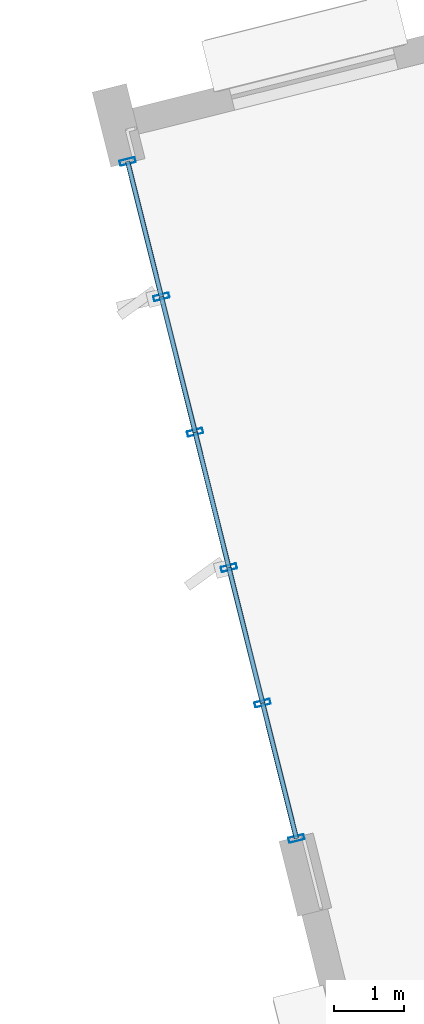
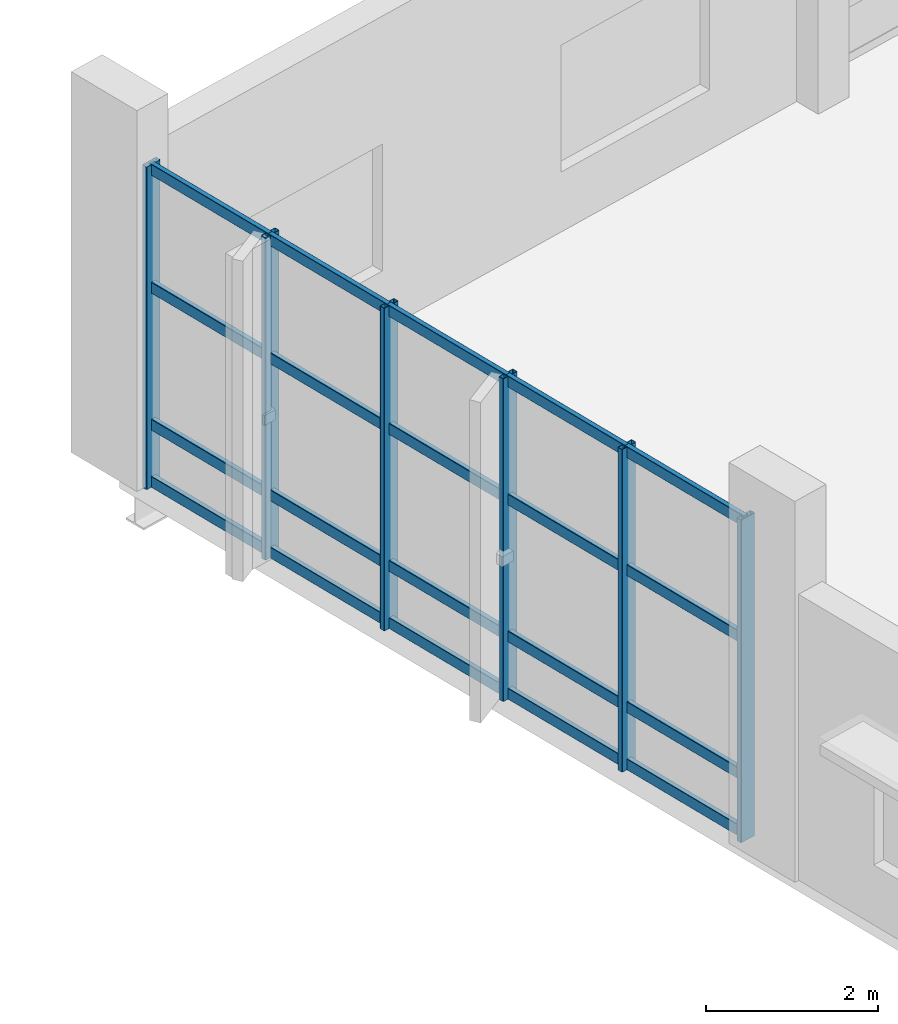
# One storey, part 83 of 176: 26 members, 1 element without a shape of its own.
"""IFC4 building model written with IfcOpenShell, lengths in metres."""

from ifc_helpers import new_model, si_unit, direction, frame, origin, origin_2d, place, context, subcontext, project, spatial, hollow_rectangle, extrude, material, layer, layer_set, material_profile, profile_set, type_object, element, aggregate, save


model = new_model("IFC4")

# Units and contexts
model_context = context("Model", 3, precision=1e-05, world=origin(), true_north=direction((0.0, 1.0)))
body_context = subcontext(model_context, "Body", "Model", "MODEL_VIEW")
ifc_project = project(units=[si_unit("LENGTHUNIT", "METRE"), si_unit("AREAUNIT", "SQUARE_METRE"), si_unit("VOLUMEUNIT", "CUBIC_METRE"), si_unit("PLANEANGLEUNIT", "RADIAN"), si_unit("MASSUNIT", "GRAM", prefix="KILO")], contexts=[model_context])

# Site, building, storey
site_placement = place(None, origin())
site = spatial("IfcSite", under=ifc_project, at=site_placement, CompositionType="ELEMENT")
building_placement = place(site_placement, origin())
building = spatial("IfcBuilding", under=site, at=building_placement, Name="Khorjan Park Terminus", CompositionType="ELEMENT")
storey_placement = place(building_placement, frame((0.0, 0.0, 6.0)))
storey = spatial("IfcBuildingStorey", under=building, at=storey_placement, Name="L01", CompositionType="ELEMENT", Elevation=6.0)

# Curtain wall, members
ifc_material = material(Name="Anodized Bronze Aluminium", Category="aluminium")
ifc_layer = layer(ifc_material, 0.22)
ifc_layer_set = layer_set([ifc_layer], Name="Anodized Bronze Aluminium")
curtain_wall_type = type_object("IfcCurtainWallType", Name="CW-OPS-B", PredefinedType="NOTDEFINED", material=ifc_layer_set)
curtain_wall_placement = place(storey_placement, origin())
curtain_wall = element("IfcCurtainWall", 1, at=curtain_wall_placement, inside=storey, type_object=curtain_wall_type, Name="Unitized curtain wall CW-B (CW-V5-W-L01-B01)", PredefinedType="NOTDEFINED")
ifc_material_profile_1 = material_profile(ifc_material, hollow_rectangle(XDim=0.075, YDim=0.225, WallThickness=0.005, InnerFilletRadius=0.005, OuterFilletRadius=0.01, at=origin_2d()), Name="ALM 75x225x5")
ifc_profile_set_1 = profile_set([ifc_material_profile_1], Name="Anodized Bronze Aluminium")
member_type_1 = type_object("IfcMemberType", Name="ML-ALM-225", PredefinedType="MULLION", material=ifc_profile_set_1)
member_1_placement = place(storey_placement, frame((150.1613, 65.5258, -0.035), z_axis=(0.0, 0.0, 1.0), x_axis=(0.241913063893, -0.970297928225, 0.0)))
member_1 = element("IfcMember", 2, at=member_1_placement, type_object=member_type_1, Name="Curtain-wall mullion ML-22 (CW-V5-W-L01-B01-0)", PredefinedType="MULLION", context=body_context, shape_type="SweptSolid", body=[
    extrude(hollow_rectangle(XDim=0.075, YDim=0.225, WallThickness=0.005, InnerFilletRadius=0.005, OuterFilletRadius=0.01, at=origin_2d()), origin(), (0.0, 0.0, 1.0), 4.575),
])
member_2_placement = place(storey_placement, frame((150.6423, 63.5967, -0.035), z_axis=(0.0, 0.0, 1.0), x_axis=(0.241913063893, -0.970297928225, 0.0)))
member_2 = element("IfcMember", 3, at=member_2_placement, type_object=member_type_1, Name="Curtain-wall mullion ML-22 (CW-V5-W-L01-B01-1)", PredefinedType="MULLION", context=body_context, shape_type="SweptSolid", body=[
    extrude(hollow_rectangle(XDim=0.075, YDim=0.225, WallThickness=0.005, InnerFilletRadius=0.005, OuterFilletRadius=0.01, at=origin_2d()), origin(), (0.0, 0.0, 1.0), 4.575),
])
member_3_placement = place(storey_placement, frame((151.1232, 61.6676, -0.035), z_axis=(0.0, 0.0, 1.0), x_axis=(0.241913063893, -0.970297928225, 0.0)))
member_3 = element("IfcMember", 4, at=member_3_placement, type_object=member_type_1, Name="Curtain-wall mullion ML-22 (CW-V5-W-L01-B01-2)", PredefinedType="MULLION", context=body_context, shape_type="SweptSolid", body=[
    extrude(hollow_rectangle(XDim=0.075, YDim=0.225, WallThickness=0.005, InnerFilletRadius=0.005, OuterFilletRadius=0.01, at=origin_2d()), origin(), (0.0, 0.0, 1.0), 4.575),
])
member_4_placement = place(storey_placement, frame((151.6042, 59.7385, -0.035), z_axis=(0.0, 0.0, 1.0), x_axis=(0.241913063893, -0.970297928225, 0.0)))
member_4 = element("IfcMember", 5, at=member_4_placement, type_object=member_type_1, Name="Curtain-wall mullion ML-22 (CW-V5-W-L01-B01-3)", PredefinedType="MULLION", context=body_context, shape_type="SweptSolid", body=[
    extrude(hollow_rectangle(XDim=0.075, YDim=0.225, WallThickness=0.005, InnerFilletRadius=0.005, OuterFilletRadius=0.01, at=origin_2d()), origin(), (0.0, 0.0, 1.0), 4.575),
])
member_5_placement = place(storey_placement, frame((152.0851, 57.8094, -0.035), z_axis=(0.0, 0.0, 1.0), x_axis=(0.241913063893, -0.970297928225, 0.0)))
member_5 = element("IfcMember", 6, at=member_5_placement, type_object=member_type_1, Name="Curtain-wall mullion ML-22 (CW-V5-W-L01-B01-4)", PredefinedType="MULLION", context=body_context, shape_type="SweptSolid", body=[
    extrude(hollow_rectangle(XDim=0.075, YDim=0.225, WallThickness=0.005, InnerFilletRadius=0.005, OuterFilletRadius=0.01, at=origin_2d()), origin(), (0.0, 0.0, 1.0), 4.575),
])
member_6_placement = place(storey_placement, frame((152.5661, 55.8803, -0.035), z_axis=(0.0, 0.0, 1.0), x_axis=(0.241913063893, -0.970297928225, 0.0)))
member_6 = element("IfcMember", 7, at=member_6_placement, type_object=member_type_1, Name="Curtain-wall mullion ML-22 (CW-V5-W-L01-B01-5)", PredefinedType="MULLION", context=body_context, shape_type="SweptSolid", body=[
    extrude(hollow_rectangle(XDim=0.075, YDim=0.225, WallThickness=0.005, InnerFilletRadius=0.005, OuterFilletRadius=0.01, at=origin_2d()), origin(), (0.0, 0.0, 1.0), 4.575),
])
ifc_material_profile_2 = material_profile(ifc_material, hollow_rectangle(XDim=0.07, YDim=0.16, WallThickness=0.004, InnerFilletRadius=0.004, OuterFilletRadius=0.008, at=origin_2d()), Name="ALT 70x160x4")
ifc_profile_set_2 = profile_set([ifc_material_profile_2], Name="Anodized Bronze Aluminium")
member_type_2 = type_object("IfcMemberType", Name="TR-ALT-160", PredefinedType="USERDEFINED", material=ifc_profile_set_2)
member_7_placement = place(storey_placement, frame((150.1613, 65.5258, 0.04), z_axis=(0.241932005526, -0.970293205532, 0.0), x_axis=(0.970293205532, 0.241932005526, 0.0)))
member_7 = element("IfcMember", 8, at=member_7_placement, type_object=member_type_2, Name="Curtain-wall transom TR-16 (CW-V5-W-L01-B01-0-1)", ObjectType="TRANSOM", PredefinedType="USERDEFINED", context=body_context, shape_type="SweptSolid", body=[
    extrude(hollow_rectangle(XDim=0.07, YDim=0.16, WallThickness=0.004, InnerFilletRadius=0.004, OuterFilletRadius=0.008, at=origin_2d()), origin(), (0.0, 0.0, 1.0), 1.9882),
])
member_8_placement = place(storey_placement, frame((150.1613, 65.5258, 0.85), z_axis=(0.241932005526, -0.970293205532, 0.0), x_axis=(0.970293205532, 0.241932005526, 0.0)))
member_8 = element("IfcMember", 9, at=member_8_placement, type_object=member_type_2, Name="Curtain-wall transom TR-16 (CW-V5-W-L01-B01-0-2)", ObjectType="TRANSOM", PredefinedType="USERDEFINED", context=body_context, shape_type="SweptSolid", body=[
    extrude(hollow_rectangle(XDim=0.07, YDim=0.16, WallThickness=0.004, InnerFilletRadius=0.004, OuterFilletRadius=0.008, at=origin_2d()), origin(), (0.0, 0.0, 1.0), 1.9882),
])
member_9_placement = place(storey_placement, frame((150.1613, 65.5258, 2.7931), z_axis=(0.241932005526, -0.970293205532, 0.0), x_axis=(0.970293205532, 0.241932005526, 0.0)))
member_9 = element("IfcMember", 10, at=member_9_placement, type_object=member_type_2, Name="Curtain-wall transom TR-16 (CW-V5-W-L01-B01-0-3)", ObjectType="TRANSOM", PredefinedType="USERDEFINED", context=body_context, shape_type="SweptSolid", body=[
    extrude(hollow_rectangle(XDim=0.07, YDim=0.16, WallThickness=0.004, InnerFilletRadius=0.004, OuterFilletRadius=0.008, at=origin_2d()), origin(), (0.0, 0.0, 1.0), 1.9882),
])
member_10_placement = place(storey_placement, frame((150.1613, 65.5258, 4.465), z_axis=(0.241932005526, -0.970293205532, 0.0), x_axis=(0.970293205532, 0.241932005526, 0.0)))
member_10 = element("IfcMember", 11, at=member_10_placement, type_object=member_type_2, Name="Curtain-wall transom TR-16 (CW-V5-W-L01-B01-0-4)", ObjectType="TRANSOM", PredefinedType="USERDEFINED", context=body_context, shape_type="SweptSolid", body=[
    extrude(hollow_rectangle(XDim=0.07, YDim=0.16, WallThickness=0.004, InnerFilletRadius=0.004, OuterFilletRadius=0.008, at=origin_2d()), origin(), (0.0, 0.0, 1.0), 1.9882),
])
member_11_placement = place(storey_placement, frame((150.6423, 63.5967, 0.04), z_axis=(0.241884650928, -0.970305011656, 0.0), x_axis=(0.970305011656, 0.241884650928, 0.0)))
member_11 = element("IfcMember", 12, at=member_11_placement, type_object=member_type_2, Name="Curtain-wall transom TR-16 (CW-V5-W-L01-B01-1-1)", ObjectType="TRANSOM", PredefinedType="USERDEFINED", context=body_context, shape_type="SweptSolid", body=[
    extrude(hollow_rectangle(XDim=0.07, YDim=0.16, WallThickness=0.004, InnerFilletRadius=0.004, OuterFilletRadius=0.008, at=origin_2d()), origin(), (0.0, 0.0, 1.0), 1.9881),
])
member_12_placement = place(storey_placement, frame((150.6423, 63.5967, 0.85), z_axis=(0.241884650928, -0.970305011656, 0.0), x_axis=(0.970305011656, 0.241884650928, 0.0)))
member_12 = element("IfcMember", 13, at=member_12_placement, type_object=member_type_2, Name="Curtain-wall transom TR-16 (CW-V5-W-L01-B01-1-2)", ObjectType="TRANSOM", PredefinedType="USERDEFINED", context=body_context, shape_type="SweptSolid", body=[
    extrude(hollow_rectangle(XDim=0.07, YDim=0.16, WallThickness=0.004, InnerFilletRadius=0.004, OuterFilletRadius=0.008, at=origin_2d()), origin(), (0.0, 0.0, 1.0), 1.9881),
])
member_13_placement = place(storey_placement, frame((150.6423, 63.5967, 2.7931), z_axis=(0.241884650928, -0.970305011656, 0.0), x_axis=(0.970305011656, 0.241884650928, 0.0)))
member_13 = element("IfcMember", 14, at=member_13_placement, type_object=member_type_2, Name="Curtain-wall transom TR-16 (CW-V5-W-L01-B01-1-3)", ObjectType="TRANSOM", PredefinedType="USERDEFINED", context=body_context, shape_type="SweptSolid", body=[
    extrude(hollow_rectangle(XDim=0.07, YDim=0.16, WallThickness=0.004, InnerFilletRadius=0.004, OuterFilletRadius=0.008, at=origin_2d()), origin(), (0.0, 0.0, 1.0), 1.9881),
])
member_14_placement = place(storey_placement, frame((150.6423, 63.5967, 4.465), z_axis=(0.241884650928, -0.970305011656, 0.0), x_axis=(0.970305011656, 0.241884650928, 0.0)))
member_14 = element("IfcMember", 15, at=member_14_placement, type_object=member_type_2, Name="Curtain-wall transom TR-16 (CW-V5-W-L01-B01-1-4)", ObjectType="TRANSOM", PredefinedType="USERDEFINED", context=body_context, shape_type="SweptSolid", body=[
    extrude(hollow_rectangle(XDim=0.07, YDim=0.16, WallThickness=0.004, InnerFilletRadius=0.004, OuterFilletRadius=0.008, at=origin_2d()), origin(), (0.0, 0.0, 1.0), 1.9881),
])
member_15_placement = place(storey_placement, frame((151.1232, 61.6676, 0.04), z_axis=(0.241932005526, -0.970293205532, 0.0), x_axis=(0.970293205532, 0.241932005526, 0.0)))
member_15 = element("IfcMember", 16, at=member_15_placement, type_object=member_type_2, Name="Curtain-wall transom TR-16 (CW-V5-W-L01-B01-2-1)", ObjectType="TRANSOM", PredefinedType="USERDEFINED", context=body_context, shape_type="SweptSolid", body=[
    extrude(hollow_rectangle(XDim=0.07, YDim=0.16, WallThickness=0.004, InnerFilletRadius=0.004, OuterFilletRadius=0.008, at=origin_2d()), origin(), (0.0, 0.0, 1.0), 1.9882),
])
member_16_placement = place(storey_placement, frame((151.1232, 61.6676, 0.85), z_axis=(0.241932005526, -0.970293205532, 0.0), x_axis=(0.970293205532, 0.241932005526, 0.0)))
member_16 = element("IfcMember", 17, at=member_16_placement, type_object=member_type_2, Name="Curtain-wall transom TR-16 (CW-V5-W-L01-B01-2-2)", ObjectType="TRANSOM", PredefinedType="USERDEFINED", context=body_context, shape_type="SweptSolid", body=[
    extrude(hollow_rectangle(XDim=0.07, YDim=0.16, WallThickness=0.004, InnerFilletRadius=0.004, OuterFilletRadius=0.008, at=origin_2d()), origin(), (0.0, 0.0, 1.0), 1.9882),
])
member_17_placement = place(storey_placement, frame((151.1232, 61.6676, 2.7931), z_axis=(0.241932005526, -0.970293205532, 0.0), x_axis=(0.970293205532, 0.241932005526, 0.0)))
member_17 = element("IfcMember", 18, at=member_17_placement, type_object=member_type_2, Name="Curtain-wall transom TR-16 (CW-V5-W-L01-B01-2-3)", ObjectType="TRANSOM", PredefinedType="USERDEFINED", context=body_context, shape_type="SweptSolid", body=[
    extrude(hollow_rectangle(XDim=0.07, YDim=0.16, WallThickness=0.004, InnerFilletRadius=0.004, OuterFilletRadius=0.008, at=origin_2d()), origin(), (0.0, 0.0, 1.0), 1.9882),
])
member_18_placement = place(storey_placement, frame((151.1232, 61.6676, 4.465), z_axis=(0.241932005526, -0.970293205532, 0.0), x_axis=(0.970293205532, 0.241932005526, 0.0)))
member_18 = element("IfcMember", 19, at=member_18_placement, type_object=member_type_2, Name="Curtain-wall transom TR-16 (CW-V5-W-L01-B01-2-4)", ObjectType="TRANSOM", PredefinedType="USERDEFINED", context=body_context, shape_type="SweptSolid", body=[
    extrude(hollow_rectangle(XDim=0.07, YDim=0.16, WallThickness=0.004, InnerFilletRadius=0.004, OuterFilletRadius=0.008, at=origin_2d()), origin(), (0.0, 0.0, 1.0), 1.9882),
])
member_19_placement = place(storey_placement, frame((151.6042, 59.7385, 0.04), z_axis=(0.241884650928, -0.970305011656, 0.0), x_axis=(0.970305011656, 0.241884650928, 0.0)))
member_19 = element("IfcMember", 20, at=member_19_placement, type_object=member_type_2, Name="Curtain-wall transom TR-16 (CW-V5-W-L01-B01-3-1)", ObjectType="TRANSOM", PredefinedType="USERDEFINED", context=body_context, shape_type="SweptSolid", body=[
    extrude(hollow_rectangle(XDim=0.07, YDim=0.16, WallThickness=0.004, InnerFilletRadius=0.004, OuterFilletRadius=0.008, at=origin_2d()), origin(), (0.0, 0.0, 1.0), 1.9881),
])
member_20_placement = place(storey_placement, frame((151.6042, 59.7385, 0.85), z_axis=(0.241884650928, -0.970305011656, 0.0), x_axis=(0.970305011656, 0.241884650928, 0.0)))
member_20 = element("IfcMember", 21, at=member_20_placement, type_object=member_type_2, Name="Curtain-wall transom TR-16 (CW-V5-W-L01-B01-3-2)", ObjectType="TRANSOM", PredefinedType="USERDEFINED", context=body_context, shape_type="SweptSolid", body=[
    extrude(hollow_rectangle(XDim=0.07, YDim=0.16, WallThickness=0.004, InnerFilletRadius=0.004, OuterFilletRadius=0.008, at=origin_2d()), origin(), (0.0, 0.0, 1.0), 1.9881),
])
member_21_placement = place(storey_placement, frame((151.6042, 59.7385, 2.7931), z_axis=(0.241884650928, -0.970305011656, 0.0), x_axis=(0.970305011656, 0.241884650928, 0.0)))
member_21 = element("IfcMember", 22, at=member_21_placement, type_object=member_type_2, Name="Curtain-wall transom TR-16 (CW-V5-W-L01-B01-3-3)", ObjectType="TRANSOM", PredefinedType="USERDEFINED", context=body_context, shape_type="SweptSolid", body=[
    extrude(hollow_rectangle(XDim=0.07, YDim=0.16, WallThickness=0.004, InnerFilletRadius=0.004, OuterFilletRadius=0.008, at=origin_2d()), origin(), (0.0, 0.0, 1.0), 1.9881),
])
member_22_placement = place(storey_placement, frame((151.6042, 59.7385, 4.465), z_axis=(0.241884650928, -0.970305011656, 0.0), x_axis=(0.970305011656, 0.241884650928, 0.0)))
member_22 = element("IfcMember", 23, at=member_22_placement, type_object=member_type_2, Name="Curtain-wall transom TR-16 (CW-V5-W-L01-B01-3-4)", ObjectType="TRANSOM", PredefinedType="USERDEFINED", context=body_context, shape_type="SweptSolid", body=[
    extrude(hollow_rectangle(XDim=0.07, YDim=0.16, WallThickness=0.004, InnerFilletRadius=0.004, OuterFilletRadius=0.008, at=origin_2d()), origin(), (0.0, 0.0, 1.0), 1.9881),
])
member_23_placement = place(storey_placement, frame((152.0851, 57.8094, 0.04), z_axis=(0.241932005526, -0.970293205532, 0.0), x_axis=(0.970293205532, 0.241932005526, 0.0)))
member_23 = element("IfcMember", 24, at=member_23_placement, type_object=member_type_2, Name="Curtain-wall transom TR-16 (CW-V5-W-L01-B01-4-1)", ObjectType="TRANSOM", PredefinedType="USERDEFINED", context=body_context, shape_type="SweptSolid", body=[
    extrude(hollow_rectangle(XDim=0.07, YDim=0.16, WallThickness=0.004, InnerFilletRadius=0.004, OuterFilletRadius=0.008, at=origin_2d()), origin(), (0.0, 0.0, 1.0), 1.9882),
])
member_24_placement = place(storey_placement, frame((152.0851, 57.8094, 0.85), z_axis=(0.241932005526, -0.970293205532, 0.0), x_axis=(0.970293205532, 0.241932005526, 0.0)))
member_24 = element("IfcMember", 25, at=member_24_placement, type_object=member_type_2, Name="Curtain-wall transom TR-16 (CW-V5-W-L01-B01-4-2)", ObjectType="TRANSOM", PredefinedType="USERDEFINED", context=body_context, shape_type="SweptSolid", body=[
    extrude(hollow_rectangle(XDim=0.07, YDim=0.16, WallThickness=0.004, InnerFilletRadius=0.004, OuterFilletRadius=0.008, at=origin_2d()), origin(), (0.0, 0.0, 1.0), 1.9882),
])
member_25_placement = place(storey_placement, frame((152.0851, 57.8094, 2.7931), z_axis=(0.241932005526, -0.970293205532, 0.0), x_axis=(0.970293205532, 0.241932005526, 0.0)))
member_25 = element("IfcMember", 26, at=member_25_placement, type_object=member_type_2, Name="Curtain-wall transom TR-16 (CW-V5-W-L01-B01-4-3)", ObjectType="TRANSOM", PredefinedType="USERDEFINED", context=body_context, shape_type="SweptSolid", body=[
    extrude(hollow_rectangle(XDim=0.07, YDim=0.16, WallThickness=0.004, InnerFilletRadius=0.004, OuterFilletRadius=0.008, at=origin_2d()), origin(), (0.0, 0.0, 1.0), 1.9882),
])
member_26_placement = place(storey_placement, frame((152.0851, 57.8094, 4.465), z_axis=(0.241932005526, -0.970293205532, 0.0), x_axis=(0.970293205532, 0.241932005526, 0.0)))
member_26 = element("IfcMember", 27, at=member_26_placement, type_object=member_type_2, Name="Curtain-wall transom TR-16 (CW-V5-W-L01-B01-4-4)", ObjectType="TRANSOM", PredefinedType="USERDEFINED", context=body_context, shape_type="SweptSolid", body=[
    extrude(hollow_rectangle(XDim=0.07, YDim=0.16, WallThickness=0.004, InnerFilletRadius=0.004, OuterFilletRadius=0.008, at=origin_2d()), origin(), (0.0, 0.0, 1.0), 1.9882),
])
aggregate(curtain_wall, [member_1, member_2, member_3, member_4, member_5, member_6, member_7, member_8, member_9, member_10, member_11, member_12, member_13, member_14, member_15, member_16, member_17, member_18, member_19, member_20, member_21, member_22, member_23, member_24, member_25, member_26])

save(model, "model.ifc")
